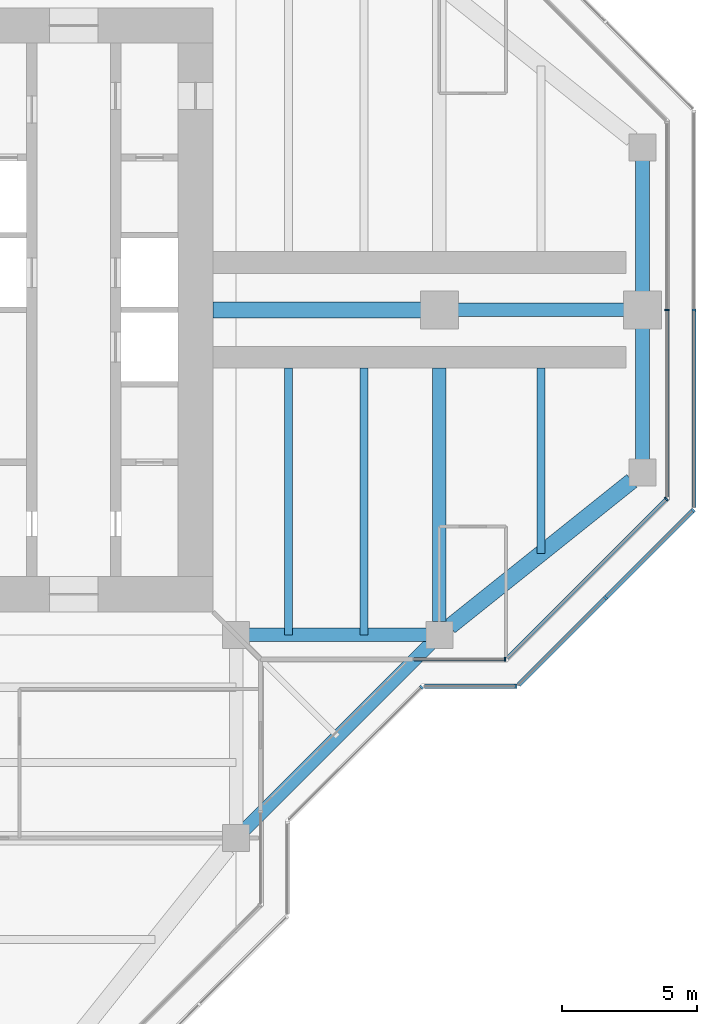
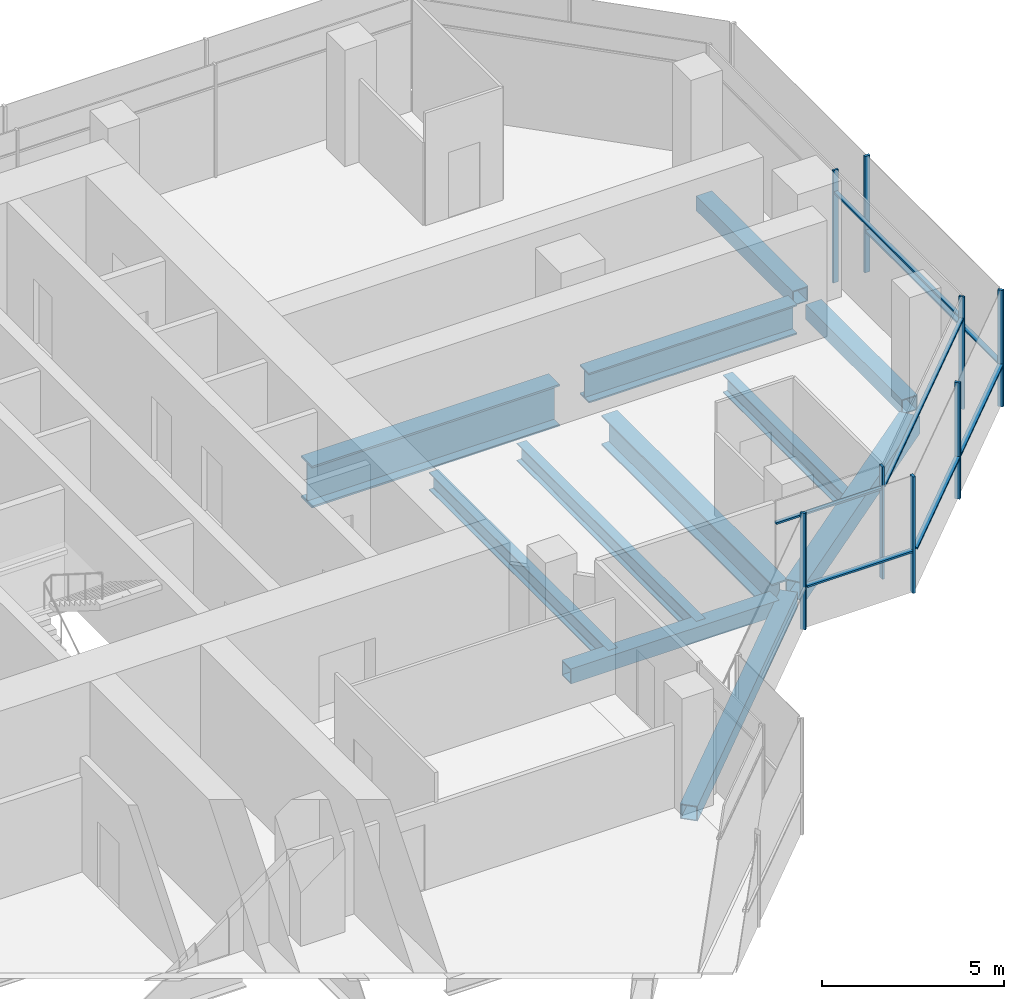
# One storey, part 5 of 15: 15 members, 11 beams, 7 elements without a shape of their own.
"""IFC4 building model written with IfcOpenShell, lengths in metres."""

from ifc_helpers import new_model, si_unit, direction, frame, origin, origin_2d, place, context, subcontext, project, spatial, rectangle, hollow_rectangle, i_section, extrude, material, material_profile, profile_set, type_object, element, aggregate, save


model = new_model("IFC4")

# Units and contexts
model_context = context("Model", 3, precision=1e-05, world=origin(), true_north=direction((0.0, 1.0)))
body_context = subcontext(model_context, "Body", "Model", "MODEL_VIEW")
ifc_project = project(units=[si_unit("LENGTHUNIT", "METRE"), si_unit("AREAUNIT", "SQUARE_METRE"), si_unit("VOLUMEUNIT", "CUBIC_METRE"), si_unit("PLANEANGLEUNIT", "RADIAN"), si_unit("MASSUNIT", "GRAM", prefix="KILO")], contexts=[model_context])

# Site, building, storey
site_placement = place(None, origin())
site = spatial("IfcSite", under=ifc_project, at=site_placement, CompositionType="ELEMENT")
building_placement = place(site_placement, origin())
building = spatial("IfcBuilding", under=site, at=building_placement, Name="Mizan Broadcast Tower", CompositionType="ELEMENT")
storey_placement = place(building_placement, frame((0.0, 0.0, 286.800048828125)))
storey = spatial("IfcBuildingStorey", under=building, at=storey_placement, Name="L68", CompositionType="ELEMENT", Elevation=286.800048828125)

# Beams
ifc_material_1 = material(Name="Steel S355", Category="steel")
ifc_material_profile_1 = material_profile(ifc_material_1, hollow_rectangle(XDim=0.5, YDim=0.5, WallThickness=0.030029296875, at=origin_2d()), Name="BOX 500x500x30")
ifc_profile_set_1 = profile_set([ifc_material_profile_1], Name="Steel S355")
beam_type_1 = type_object("IfcBeamType", Name="EDGE BEAM BOX 500x500x30", PredefinedType="SPANDREL", material=ifc_profile_set_1)
beam_1_placement = place(storey_placement, frame((12.449951171875, -12.0, -0.380126953125), z_axis=(1.0, 0.0, 0.0), x_axis=(0.0, 1.0, 0.0)))
element("IfcBeam", 1, at=beam_1_placement, inside=storey, type_object=beam_type_1, Name="Edge beam BOX 500x500x30 L68 east arm", PredefinedType="SPANDREL", context=body_context, shape_type="SweptSolid", body=[
    extrude(hollow_rectangle(XDim=0.5, YDim=0.5, WallThickness=0.030029296875, at=origin_2d()), origin(), (0.0, 0.0, 1.0), 6.60009765625),
])
for number, where, z_axis, x_axis, name in (
    (2, (27.0, -5.639892578125, -0.380126953125), (0.0, 1.0, 0.0), (-1.0, 0.0, 0.0), "Edge beam BOX 500x500x30 L68 east arm"),
    (3, (27.0, 5.639892578125, -0.380126953125), (0.0, -1.0, 0.0), (1.0, 0.0, 0.0), "Edge beam BOX 500x500x30 L68 east arm"),
):
    element("IfcBeam", number, at=place(storey_placement, frame(where, z_axis=z_axis, x_axis=x_axis)), inside=storey, type_object=beam_type_1, Name=name, PredefinedType="SPANDREL", context=body_context, shape_type="SweptSolid", body=[
        extrude(hollow_rectangle(XDim=0.5, YDim=0.5, WallThickness=0.030029296875, at=origin_2d()), origin(), (0.0, 0.0, 1.0), 5.27978515625),
    ])
beam_2_placement = place(storey_placement, frame((12.0, -19.5, -0.380126953125), z_axis=(0.707106781187, 0.707106781187, 0.0), x_axis=(-0.707106781187, 0.707106781187, 0.0)))
element("IfcBeam", 4, at=beam_2_placement, inside=storey, type_object=beam_type_1, Name="Winter garden edge beam L68 S", PredefinedType="SPANDREL", context=body_context, shape_type="SweptSolid", body=[
    extrude(hollow_rectangle(XDim=0.5, YDim=0.5, WallThickness=0.030029296875, at=origin_2d()), origin(), (0.0, 0.0, 1.0), 10.606689453125),
])
ifc_material_2 = material(Name="Steel S355", Category="steel")
ifc_material_profile_2 = material_profile(ifc_material_2, hollow_rectangle(XDim=0.60009765625, YDim=0.60009765625, WallThickness=0.030029296875, at=origin_2d()), Name="BOX 600x600x30")
ifc_profile_set_2 = profile_set([ifc_material_profile_2], Name="Steel S355")
beam_type_2 = type_object("IfcBeamType", Name="EDGE BEAM BOX 600x600x30", PredefinedType="SPANDREL", material=ifc_profile_set_2)
beam_3_placement = place(storey_placement, frame((19.890380859375, -11.687744140625, -0.429931640625), z_axis=(0.780863273348, 0.62470196761, 0.0), x_axis=(-0.62470196761, 0.780863273348, 0.0)))
element("IfcBeam", 5, at=beam_3_placement, inside=storey, type_object=beam_type_2, Name="Edge beam BOX 600x600x30 L68 east arm", PredefinedType="SPANDREL", context=body_context, shape_type="SweptSolid", body=[
    extrude(hollow_rectangle(XDim=0.60009765625, YDim=0.60009765625, WallThickness=0.030029296875, at=origin_2d()), origin(), (0.0, 0.0, 1.0), 8.60498046875),
])
ifc_material_3 = material(Name="Steel S460", Category="steel")
ifc_material_profile_3 = material_profile(ifc_material_3, i_section(OverallWidth=0.5, OverallDepth=1.0, WebThickness=0.02490234375, FlangeThickness=0.050048828125, at=origin_2d()), Name="WPG 1000x500")
ifc_profile_set_3 = profile_set([ifc_material_profile_3], Name="Steel S460")
beam_type_3 = type_object("IfcBeamType", Name="GIRDER WPG 1000x500", PredefinedType="BEAM", material=ifc_profile_set_3)
beam_4_placement = place(storey_placement, frame((19.949951171875, 0.0, -0.630126953125), z_axis=(1.0, 0.0, 0.0), x_axis=(0.0, 1.0, 0.0)))
element("IfcBeam", 6, at=beam_4_placement, inside=storey, type_object=beam_type_3, Name="Girder WPG 1000x500 L68 east arm", PredefinedType="BEAM", context=body_context, shape_type="SweptSolid", body=[
    extrude(i_section(OverallWidth=0.5, OverallDepth=1.0, WebThickness=0.02490234375, FlangeThickness=0.050048828125, at=origin_2d()), origin(), (0.0, 0.0, 1.0), 6.60009765625),
])
beam_5_placement = place(storey_placement, frame((19.5, -11.5, -0.630126953125), z_axis=(0.0, 1.0, 0.0), x_axis=(-1.0, 0.0, 0.0)))
element("IfcBeam", 7, at=beam_5_placement, inside=storey, type_object=beam_type_3, Name="Girder WPG 1000x500 L68 east arm", PredefinedType="BEAM", context=body_context, shape_type="SweptSolid", body=[
    extrude(i_section(OverallWidth=0.5, OverallDepth=1.0, WebThickness=0.02490234375, FlangeThickness=0.050048828125, at=origin_2d()), origin(), (0.0, 0.0, 1.0), 9.35009765625),
])
ifc_material_4 = material(Name="Steel S460", Category="steel")
ifc_material_profile_4 = material_profile(ifc_material_4, i_section(OverallWidth=0.60009765625, OverallDepth=1.39990234375, WebThickness=0.02490234375, FlangeThickness=0.06005859375, at=origin_2d()), Name="WPG 1400x600")
ifc_profile_set_4 = profile_set([ifc_material_profile_4], Name="Steel S460")
beam_type_4 = type_object("IfcBeamType", Name="GIRDER WPG 1400x600", PredefinedType="BEAM", material=ifc_profile_set_4)
beam_6_placement = place(storey_placement, frame((11.14990234375, 0.0, -0.830078125), z_axis=(1.0, 0.0, 0.0), x_axis=(0.0, 1.0, 0.0)))
element("IfcBeam", 8, at=beam_6_placement, inside=storey, type_object=beam_type_4, Name="Girder WPG 1400x600 L68 east arm", PredefinedType="BEAM", context=body_context, shape_type="SweptSolid", body=[
    extrude(i_section(OverallWidth=0.60009765625, OverallDepth=1.39990234375, WebThickness=0.02490234375, FlangeThickness=0.06005859375, at=origin_2d()), origin(), (0.0, 0.0, 1.0), 7.84912109375),
])

# Curtain wall, member
ifc_material_5 = material(Name="Aluminium framed glazing", Category="aluminium")
curtain_wall_type_1 = type_object("IfcCurtainWallType", Name="INNER SKIN TOP ZONE", PredefinedType="USERDEFINED", material=ifc_material_5)
curtain_wall_1_placement = place(storey_placement, origin())
curtain_wall_1 = element("IfcCurtainWall", 9, at=curtain_wall_1_placement, inside=storey, type_object=curtain_wall_type_1, Name="Inner skin top zone L68 E side", ObjectType="INNER SKIN TOP ZONE", PredefinedType="USERDEFINED")
ifc_material_6 = material(Name="Aluminium, pale anodised", Category="aluminium")
ifc_material_profile_5 = material_profile(ifc_material_6, rectangle(XDim=0.159912109375, YDim=0.06005859375, at=origin_2d()), Name="MULLION 160x60")
ifc_profile_set_5 = profile_set([ifc_material_profile_5], Name="Aluminium, pale anodised")
member_type_1 = type_object("IfcMemberType", Name="INNER SKIN MULLION 60x160", PredefinedType="MULLION", material=ifc_profile_set_5)
member_1_placement = place(storey_placement, frame((21.928466796875, -12.89990234375, 0.0), z_axis=(0.0, 0.0, 1.0), x_axis=(0.0, 1.0, 0.0)))
member_1 = element("IfcMember", 10, at=member_1_placement, type_object=member_type_1, Name="Inner skin top zone L68 E side mullion 2", PredefinedType="MULLION", context=body_context, shape_type="SweptSolid", body=[
    extrude(rectangle(XDim=0.159912109375, YDim=0.06005859375, at=origin_2d()), origin(), (0.0, 0.0, 1.0), 3.77001953125),
])

curtain_wall_2_placement = place(storey_placement, origin())
curtain_wall_2 = element("IfcCurtainWall", 11, at=curtain_wall_2_placement, inside=storey, type_object=curtain_wall_type_1, Name="Inner skin top zone L68 E chamfer", ObjectType="INNER SKIN TOP ZONE", PredefinedType="USERDEFINED")
member_2_placement = place(storey_placement, frame((27.87890625, -6.979736328125, 0.0), z_axis=(0.0, 0.0, 1.0), x_axis=(-0.707106781187, 0.707106781187, 0.0)))
member_2 = element("IfcMember", 12, at=member_2_placement, type_object=member_type_1, Name="Inner skin top zone L68 E chamfer mullion 2", PredefinedType="MULLION", context=body_context, shape_type="SweptSolid", body=[
    extrude(rectangle(XDim=0.159912109375, YDim=0.06005859375, at=origin_2d()), origin(), (0.0, 0.0, 1.0), 3.77001953125),
])

curtain_wall_3_placement = place(storey_placement, origin())
curtain_wall_3 = element("IfcCurtainWall", 13, at=curtain_wall_3_placement, inside=storey, type_object=curtain_wall_type_1, Name="Inner skin top zone L68 E end", ObjectType="INNER SKIN TOP ZONE", PredefinedType="USERDEFINED")
member_3_placement = place(storey_placement, frame((27.89990234375, 0.0, 0.0), z_axis=(0.0, 0.0, 1.0), x_axis=(-1.0, 0.0, 0.0)))
member_3 = element("IfcMember", 14, at=member_3_placement, type_object=member_type_1, Name="Inner skin top zone L68 E end mullion 2", PredefinedType="MULLION", context=body_context, shape_type="SweptSolid", body=[
    extrude(rectangle(XDim=0.159912109375, YDim=0.06005859375, at=origin_2d()), origin(), (0.0, 0.0, 1.0), 3.77001953125),
])

# Member
ifc_material_7 = material(Name="Aluminium, pale anodised", Category="aluminium")
ifc_material_profile_6 = material_profile(ifc_material_7, rectangle(XDim=0.1201171875, YDim=0.06005859375, at=origin_2d()), Name="TRANSOM 120x60")
ifc_profile_set_6 = profile_set([ifc_material_profile_6], Name="Aluminium, pale anodised")
member_type_2 = type_object("IfcMemberType", Name="INNER SKIN TRANSOM 60x120", PredefinedType="USERDEFINED", material=ifc_profile_set_6)
member_4_placement = place(storey_placement, frame((18.56005859375, -12.89990234375, 3.030029296875), z_axis=(1.0, 0.0, 0.0), x_axis=(0.0, 1.0, 0.0)))
member_4 = element("IfcMember", 15, at=member_4_placement, type_object=member_type_2, Name="Inner skin top zone L68 E side transom 1.1", ObjectType="TRANSOM", PredefinedType="USERDEFINED", context=body_context, shape_type="SweptSolid", body=[
    extrude(rectangle(XDim=0.1201171875, YDim=0.06005859375, at=origin_2d()), origin(), (0.0, 0.0, 1.0), 3.338623046875),
])

aggregate(curtain_wall_1, [member_1, member_4])

member_5_placement = place(storey_placement, frame((22.0009765625, -12.857666015625, 3.030029296875), z_axis=(0.707106781187, 0.707106781187, 0.0), x_axis=(-0.707106781187, 0.707106781187, 0.0)))
member_5 = element("IfcMember", 16, at=member_5_placement, type_object=member_type_2, Name="Inner skin top zone L68 E chamfer transom 1.1", ObjectType="TRANSOM", PredefinedType="USERDEFINED", context=body_context, shape_type="SweptSolid", body=[
    extrude(rectangle(XDim=0.1201171875, YDim=0.06005859375, at=origin_2d()), origin(), (0.0, 0.0, 1.0), 8.28271484375),
])

aggregate(curtain_wall_2, [member_2, member_5])

member_6_placement = place(storey_placement, frame((27.89990234375, -6.898681640625, 3.030029296875), z_axis=(0.0, 1.0, 0.0), x_axis=(-1.0, 0.0, 0.0)))
member_6 = element("IfcMember", 17, at=member_6_placement, type_object=member_type_2, Name="Inner skin top zone L68 E end transom 1.1", ObjectType="TRANSOM", PredefinedType="USERDEFINED", context=body_context, shape_type="SweptSolid", body=[
    extrude(rectangle(XDim=0.1201171875, YDim=0.06005859375, at=origin_2d()), origin(), (0.0, 0.0, 1.0), 6.86865234375),
])

aggregate(curtain_wall_3, [member_3, member_6])

# Curtain wall, member
ifc_material_8 = material(Name="Aluminium framed glazing", Category="aluminium")
curtain_wall_type_2 = type_object("IfcCurtainWallType", Name="OUTER SKIN", PredefinedType="USERDEFINED", material=ifc_material_8)
curtain_wall_4_placement = place(storey_placement, origin())
curtain_wall_4 = element("IfcCurtainWall", 18, at=curtain_wall_4_placement, inside=storey, type_object=curtain_wall_type_2, Name="Outer skin L68 E chamfer", ObjectType="OUTER SKIN", PredefinedType="USERDEFINED")
ifc_material_9 = material(Name="Aluminium, pale anodised", Category="aluminium")
ifc_material_profile_7 = material_profile(ifc_material_9, rectangle(XDim=0.159912109375, YDim=0.080078125, at=origin_2d()), Name="MULLION 160x80")
ifc_profile_set_7 = profile_set([ifc_material_profile_7], Name="Aluminium, pale anodised")
member_type_3 = type_object("IfcMemberType", Name="OUTER SKIN MULLION 80x160", PredefinedType="MULLION", material=ifc_profile_set_7)
member_7_placement = place(storey_placement, frame((18.844482421875, -13.92822265625, 0.0), z_axis=(0.0, 0.0, 1.0), x_axis=(-0.707106781187, 0.707106781187, 0.0)))
member_7 = element("IfcMember", 19, at=member_7_placement, type_object=member_type_3, Name="Outer skin L68 E chamfer mullion 2", PredefinedType="MULLION", context=body_context, shape_type="SweptSolid", body=[
    extrude(rectangle(XDim=0.159912109375, YDim=0.080078125, at=origin_2d()), origin(), (0.0, 0.0, 1.0), 3.89990234375),
])
aggregate(curtain_wall_4, [member_7])

curtain_wall_5_placement = place(storey_placement, origin())
curtain_wall_5 = element("IfcCurtainWall", 20, at=curtain_wall_5_placement, inside=storey, type_object=curtain_wall_type_2, Name="Outer skin L68 E side", ObjectType="OUTER SKIN", PredefinedType="USERDEFINED")
member_8_placement = place(storey_placement, frame((22.332763671875, -13.89990234375, 0.0), z_axis=(0.0, 0.0, 1.0), x_axis=(0.0, 1.0, 0.0)))
member_8 = element("IfcMember", 21, at=member_8_placement, type_object=member_type_3, Name="Outer skin L68 E side mullion 2", PredefinedType="MULLION", context=body_context, shape_type="SweptSolid", body=[
    extrude(rectangle(XDim=0.159912109375, YDim=0.080078125, at=origin_2d()), origin(), (0.0, 0.0, 1.0), 3.89990234375),
])

# Curtain wall, members
curtain_wall_6_placement = place(storey_placement, origin())
curtain_wall_6 = element("IfcCurtainWall", 22, at=curtain_wall_6_placement, inside=storey, type_object=curtain_wall_type_2, Name="Outer skin L68 E chamfer", ObjectType="OUTER SKIN", PredefinedType="USERDEFINED")
member_9_placement = place(storey_placement, frame((25.636474609375, -10.636474609375, 0.0), z_axis=(0.0, 0.0, 1.0), x_axis=(-0.707106781187, 0.707106781187, 0.0)))
member_9 = element("IfcMember", 23, at=member_9_placement, type_object=member_type_3, Name="Outer skin L68 E chamfer mullion 2", PredefinedType="MULLION", context=body_context, shape_type="SweptSolid", body=[
    extrude(rectangle(XDim=0.159912109375, YDim=0.080078125, at=origin_2d()), origin(), (0.0, 0.0, 1.0), 3.89990234375),
])
member_10_placement = place(storey_placement, frame((28.871826171875, -7.401123046875, 0.0), z_axis=(0.0, 0.0, 1.0), x_axis=(-0.707106781187, 0.707106781187, 0.0)))
member_10 = element("IfcMember", 24, at=member_10_placement, type_object=member_type_3, Name="Outer skin L68 E chamfer mullion 3", PredefinedType="MULLION", context=body_context, shape_type="SweptSolid", body=[
    extrude(rectangle(XDim=0.159912109375, YDim=0.080078125, at=origin_2d()), origin(), (0.0, 0.0, 1.0), 3.89990234375),
])

# Curtain wall, member
curtain_wall_7_placement = place(storey_placement, origin())
curtain_wall_7 = element("IfcCurtainWall", 25, at=curtain_wall_7_placement, inside=storey, type_object=curtain_wall_type_2, Name="Outer skin L68 E end", ObjectType="OUTER SKIN", PredefinedType="USERDEFINED")
member_11_placement = place(storey_placement, frame((28.89990234375, 0.0, 0.0), z_axis=(0.0, 0.0, 1.0), x_axis=(-1.0, 0.0, 0.0)))
member_11 = element("IfcMember", 26, at=member_11_placement, type_object=member_type_3, Name="Outer skin L68 E end mullion 2", PredefinedType="MULLION", context=body_context, shape_type="SweptSolid", body=[
    extrude(rectangle(XDim=0.159912109375, YDim=0.080078125, at=origin_2d()), origin(), (0.0, 0.0, 1.0), 3.89990234375),
])

# Member
ifc_material_10 = material(Name="Aluminium, pale anodised", Category="aluminium")
ifc_material_profile_8 = material_profile(ifc_material_10, rectangle(XDim=0.159912109375, YDim=0.06005859375, at=origin_2d()), Name="TRANSOM 160x60")
ifc_profile_set_8 = profile_set([ifc_material_profile_8], Name="Aluminium, pale anodised")
member_type_4 = type_object("IfcMemberType", Name="OUTER SKIN TRANSOM 60x160", PredefinedType="USERDEFINED", material=ifc_profile_set_8)
member_12_placement = place(storey_placement, frame((18.952880859375, -13.89990234375, 1.39990234375), z_axis=(1.0, 0.0, 0.0), x_axis=(0.0, 1.0, 0.0)))
member_12 = element("IfcMember", 27, at=member_12_placement, type_object=member_type_4, Name="Outer skin L68 E side transom 1.1", ObjectType="TRANSOM", PredefinedType="USERDEFINED", context=body_context, shape_type="SweptSolid", body=[
    extrude(rectangle(XDim=0.159912109375, YDim=0.06005859375, at=origin_2d()), origin(), (0.0, 0.0, 1.0), 3.33984375),
])

aggregate(curtain_wall_5, [member_8, member_12])

member_13_placement = place(storey_placement, frame((22.429443359375, -13.843505859375, 1.39990234375), z_axis=(0.707106781187, 0.707106781187, 0.0), x_axis=(-0.707106781187, 0.707106781187, 0.0)))
member_13 = element("IfcMember", 28, at=member_13_placement, type_object=member_type_4, Name="Outer skin L68 E chamfer transom 1.1", ObjectType="TRANSOM", PredefinedType="USERDEFINED", context=body_context, shape_type="SweptSolid", body=[
    extrude(rectangle(XDim=0.159912109375, YDim=0.06005859375, at=origin_2d()), origin(), (0.0, 0.0, 1.0), 4.495361328125),
])

member_14_placement = place(storey_placement, frame((25.664794921875, -10.608154296875, 1.39990234375), z_axis=(0.707106781187, 0.707106781187, 0.0), x_axis=(-0.707106781187, 0.707106781187, 0.0)))
member_14 = element("IfcMember", 29, at=member_14_placement, type_object=member_type_4, Name="Outer skin L68 E chamfer transom 2.1", ObjectType="TRANSOM", PredefinedType="USERDEFINED", context=body_context, shape_type="SweptSolid", body=[
    extrude(rectangle(XDim=0.159912109375, YDim=0.06005859375, at=origin_2d()), origin(), (0.0, 0.0, 1.0), 4.495361328125),
])

aggregate(curtain_wall_6, [member_9, member_10, member_13, member_14])

member_15_placement = place(storey_placement, frame((28.89990234375, -7.292724609375, 1.39990234375), z_axis=(0.0, 1.0, 0.0), x_axis=(-1.0, 0.0, 0.0)))
member_15 = element("IfcMember", 30, at=member_15_placement, type_object=member_type_4, Name="Outer skin L68 E end transom 1.1", ObjectType="TRANSOM", PredefinedType="USERDEFINED", context=body_context, shape_type="SweptSolid", body=[
    extrude(rectangle(XDim=0.159912109375, YDim=0.06005859375, at=origin_2d()), origin(), (0.0, 0.0, 1.0), 7.252685546875),
])

aggregate(curtain_wall_7, [member_11, member_15])

# Beams
ifc_material_11 = material(Name="Steel S355", Category="steel")
ifc_material_profile_9 = material_profile(ifc_material_11, i_section(OverallWidth=0.300048828125, OverallDepth=0.590087890625, WebThickness=0.012939453125, FlangeThickness=0.02490234375, FilletRadius=0.027099609375, at=origin_2d()), Name="HEA 600")
ifc_profile_set_9 = profile_set([ifc_material_profile_9], Name="Steel S355")
beam_type_5 = type_object("IfcBeamType", Name="SECONDARY BEAM HEA 600", PredefinedType="JOIST", material=ifc_profile_set_9)
for number, where, z_axis, x_axis, name in (
    (31, (13.933349609375, -12.0, -0.425048828125), (0.0, 1.0, 0.0), (-1.0, 0.0, 0.0), "Secondary beam HEA 600 L68 east arm"),
    (32, (16.716552734375, -12.0, -0.425048828125), (0.0, 1.0, 0.0), (-1.0, 0.0, 0.0), "Secondary beam HEA 600 L68 east arm"),
):
    element("IfcBeam", number, at=place(storey_placement, frame(where, z_axis=z_axis, x_axis=x_axis)), inside=storey, type_object=beam_type_5, Name=name, PredefinedType="JOIST", context=body_context, shape_type="SweptSolid", body=[
        extrude(i_section(OverallWidth=0.300048828125, OverallDepth=0.590087890625, WebThickness=0.012939453125, FlangeThickness=0.02490234375, FilletRadius=0.027099609375, at=origin_2d()), origin(), (0.0, 0.0, 1.0), 9.85009765625),
    ])
beam_7_placement = place(storey_placement, frame((23.25, -9.0, -0.425048828125), z_axis=(0.0, 1.0, 0.0), x_axis=(-1.0, 0.0, 0.0)))
element("IfcBeam", 33, at=beam_7_placement, inside=storey, type_object=beam_type_5, Name="Secondary beam HEA 600 L68 east arm", PredefinedType="JOIST", context=body_context, shape_type="SweptSolid", body=[
    extrude(i_section(OverallWidth=0.300048828125, OverallDepth=0.590087890625, WebThickness=0.012939453125, FlangeThickness=0.02490234375, FilletRadius=0.027099609375, at=origin_2d()), origin(), (0.0, 0.0, 1.0), 6.85009765625),
])

save(model, "model.ifc")
